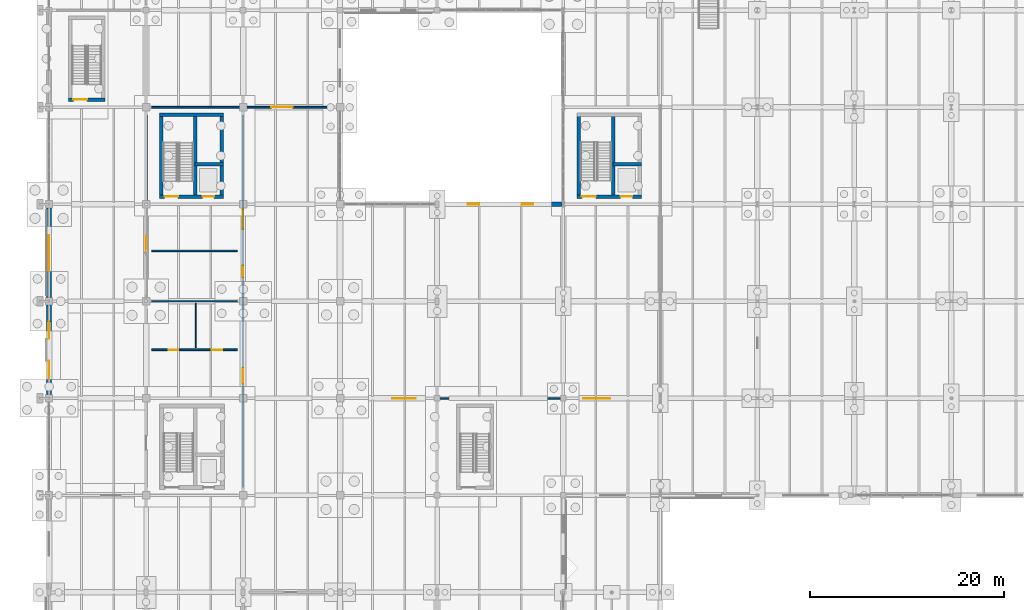
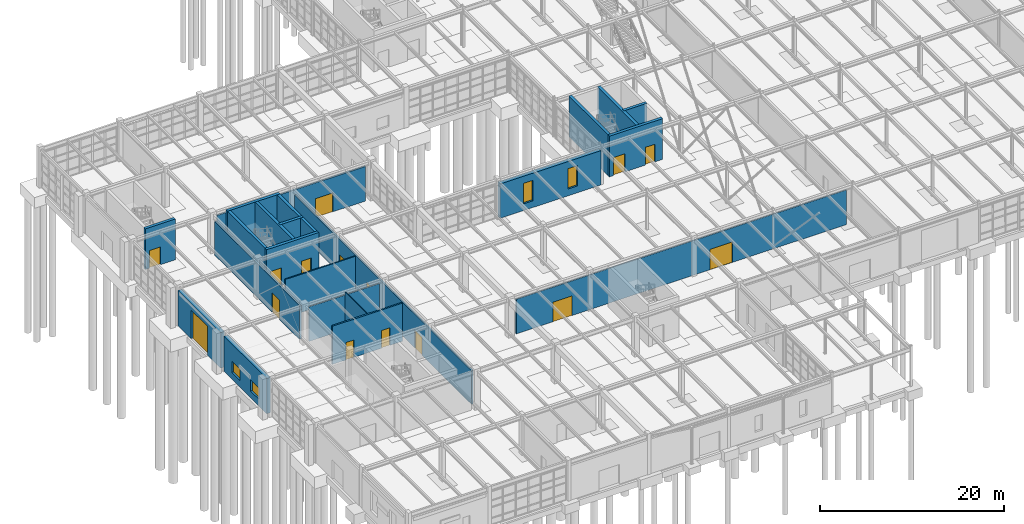
# One storey, part 121 of 145: 22 walls, 15 doors, 4 windows, 19 openings.
"""IFC4 building model written with IfcOpenShell, lengths in metres."""

from ifc_helpers import new_model, si_unit, direction, frame, frame_2d, origin, place, context, subcontext, project, spatial, rectangle, extrude, material, layer, layer_set, type_object, element, fill, save


model = new_model("IFC4")

# Units and contexts
model_context = context("Model", 3, precision=1e-05, world=origin(), true_north=direction((0.0, 1.0)))
body_context = subcontext(model_context, "Body", "Model", "MODEL_VIEW")
ifc_project = project(units=[si_unit("LENGTHUNIT", "METRE"), si_unit("AREAUNIT", "SQUARE_METRE"), si_unit("VOLUMEUNIT", "CUBIC_METRE"), si_unit("PLANEANGLEUNIT", "RADIAN"), si_unit("MASSUNIT", "GRAM", prefix="KILO"), si_unit("THERMODYNAMICTEMPERATUREUNIT", "KELVIN"), si_unit("POWERUNIT", "WATT")], contexts=[model_context])

# Site, building, storey
site_placement = place(None, origin())
site = spatial("IfcSite", under=ifc_project, at=site_placement, CompositionType="ELEMENT")
building_placement = place(site_placement, origin())
building = spatial("IfcBuilding", under=site, at=building_placement, Name="Korenveer Ferry Terminal", CompositionType="ELEMENT")
storey_placement = place(building_placement, origin())
storey = spatial("IfcBuildingStorey", under=building, at=storey_placement, Name="L00", CompositionType="ELEMENT", Elevation=0.0)

# Wall, openings, windows
ifc_material_1 = material(Name="Belgian bluestone plinth masonry", Category="masonry")
ifc_layer_1 = layer(ifc_material_1, 0.5)
ifc_layer_set_1 = layer_set([ifc_layer_1], Name="Belgian bluestone plinth masonry")
wall_type_1 = type_object("IfcWallType", Name="ENV-WL-STN500", PredefinedType="SOLIDWALL", material=ifc_layer_set_1)
wall_1_placement = place(storey_placement, frame((40.199951171875, 50.0, 0.0), z_axis=(0.0, 0.0, 1.0), x_axis=(1.0, 0.0, 0.0)))
wall_1 = element("IfcWall", 1, at=wall_1_placement, inside=storey, type_object=wall_type_1, Name="Exterior facade wall EWL-L00-015", PredefinedType="SOLIDWALL", context=body_context, shape_type="SweptSolid", body=[
    extrude(rectangle(XDim=12.650146484375, YDim=0.5, at=frame_2d((6.3251953125, 0.0))), origin(), (0.0, 0.0, 1.0), 4.550048828125),
])
opening_1_placement = place(wall_1_placement, frame((2.94189453125, 0.0, 0.89990234375)))
opening_1 = element("IfcOpeningElement", 2, at=opening_1_placement, cuts=wall_1, Name="Opening WN-09", PredefinedType="OPENING", context=body_context, shape_type="SweptSolid", body=[
    extrude(rectangle(XDim=1.199951171875, YDim=2.699951171875, at=frame_2d((0.60009765625, 1.35009765625))), frame((0.0, 0.260009765625, 0.0), z_axis=(0.0, -1.0, 0.0), x_axis=(1.0, 0.0, 0.0)), (0.0, 0.0, 1.0), 0.52001953125),
])
opening_2_placement = place(wall_1_placement, frame((8.508056640625, 0.0, 0.89990234375)))
opening_2 = element("IfcOpeningElement", 3, at=opening_2_placement, cuts=wall_1, Name="Opening WN-09", PredefinedType="OPENING", context=body_context, shape_type="SweptSolid", body=[
    extrude(rectangle(XDim=1.199951171875, YDim=2.699951171875, at=frame_2d((0.60009765625, 1.35009765625))), frame((0.0, 0.260009765625, 0.0), z_axis=(0.0, -1.0, 0.0), x_axis=(1.0, 0.0, 0.0)), (0.0, 0.0, 1.0), 0.52001953125),
])
ifc_material_2 = material(Name="Low-iron triple glazing in bronze frame", Category="glass")
window_type_1 = type_object("IfcWindowType", Name="ENV-WN-09", PartitioningType="SINGLE_PANEL", PredefinedType="WINDOW", material=ifc_material_2)
window_1_placement = place(opening_1_placement, origin())
window_1 = element("IfcWindow", 4, at=window_1_placement, inside=storey, type_object=window_type_1, Name="Lancet facade window 9", OverallHeight=2.699951171875, OverallWidth=1.199951171875, PartitioningType="SINGLE_PANEL", PredefinedType="WINDOW", context=body_context, shape_type="SweptSolid", body=[
    extrude(rectangle(XDim=1.199951171875, YDim=2.699951171875, at=frame_2d((0.60009765625, 1.35009765625))), frame((0.0, 0.030029296875, 0.0), z_axis=(0.0, -1.0, 0.0), x_axis=(1.0, 0.0, 0.0)), (0.0, 0.0, 1.0), 0.06005859375),
])
fill(opening_1, window_1)
window_2_placement = place(opening_2_placement, origin())
window_2 = element("IfcWindow", 5, at=window_2_placement, inside=storey, type_object=window_type_1, Name="Lancet facade window 10", OverallHeight=2.699951171875, OverallWidth=1.199951171875, PartitioningType="SINGLE_PANEL", PredefinedType="WINDOW", context=body_context, shape_type="SweptSolid", body=[
    extrude(rectangle(XDim=1.199951171875, YDim=2.699951171875, at=frame_2d((0.60009765625, 1.35009765625))), frame((0.0, 0.030029296875, 0.0), z_axis=(0.0, -1.0, 0.0), x_axis=(1.0, 0.0, 0.0)), (0.0, 0.0, 1.0), 0.06005859375),
])
fill(opening_2, window_2)

wall_2_placement = place(storey_placement, frame((0.0, 30.375, 0.0), z_axis=(0.0, 0.0, 1.0), x_axis=(0.0, 1.0, 0.0)))
wall_2 = element("IfcWall", 6, at=wall_2_placement, inside=storey, type_object=wall_type_1, Name="Exterior facade wall EWL-L00-024", PredefinedType="SOLIDWALL", context=body_context, shape_type="SweptSolid", body=[
    extrude(rectangle(XDim=9.25, YDim=0.5, at=frame_2d((4.625, 0.0))), origin(), (0.0, 0.0, 1.0), 4.68994140625),
])
opening_3_placement = place(wall_2_placement, frame((1.68994140625, 0.0, 0.89990234375)))
opening_3 = element("IfcOpeningElement", 7, at=opening_3_placement, cuts=wall_2, Name="Opening WN-17", PredefinedType="OPENING", context=body_context, shape_type="SweptSolid", body=[
    extrude(rectangle(XDim=1.800048828125, YDim=1.5, at=frame_2d((0.89990234375, 0.75))), frame((0.0, 0.260009765625, 0.0), z_axis=(0.0, -1.0, 0.0), x_axis=(1.0, 0.0, 0.0)), (0.0, 0.0, 1.0), 0.52001953125),
])
opening_4_placement = place(wall_2_placement, frame((5.760009765625, 0.0, 0.89990234375)))
opening_4 = element("IfcOpeningElement", 8, at=opening_4_placement, cuts=wall_2, Name="Opening WN-17", PredefinedType="OPENING", context=body_context, shape_type="SweptSolid", body=[
    extrude(rectangle(XDim=1.800048828125, YDim=1.5, at=frame_2d((0.89990234375, 0.75))), frame((0.0, 0.260009765625, 0.0), z_axis=(0.0, -1.0, 0.0), x_axis=(1.0, 0.0, 0.0)), (0.0, 0.0, 1.0), 0.52001953125),
])
window_type_2 = type_object("IfcWindowType", Name="ENV-WN-17", PartitioningType="SINGLE_PANEL", PredefinedType="WINDOW", material=ifc_material_2)
window_3_placement = place(opening_3_placement, origin())
window_3 = element("IfcWindow", 9, at=window_3_placement, inside=storey, type_object=window_type_2, Name="Lancet facade window 17", OverallHeight=1.5, OverallWidth=1.800048828125, PartitioningType="SINGLE_PANEL", PredefinedType="WINDOW", context=body_context, shape_type="SweptSolid", body=[
    extrude(rectangle(XDim=1.800048828125, YDim=1.5, at=frame_2d((0.89990234375, 0.75))), frame((0.0, 0.030029296875, 0.0), z_axis=(0.0, -1.0, 0.0), x_axis=(1.0, 0.0, 0.0)), (0.0, 0.0, 1.0), 0.06005859375),
])
fill(opening_3, window_3)
window_4_placement = place(opening_4_placement, origin())
window_4 = element("IfcWindow", 10, at=window_4_placement, inside=storey, type_object=window_type_2, Name="Lancet facade window 18", OverallHeight=1.5, OverallWidth=1.800048828125, PartitioningType="SINGLE_PANEL", PredefinedType="WINDOW", context=body_context, shape_type="SweptSolid", body=[
    extrude(rectangle(XDim=1.800048828125, YDim=1.5, at=frame_2d((0.89990234375, 0.75))), frame((0.0, 0.030029296875, 0.0), z_axis=(0.0, -1.0, 0.0), x_axis=(1.0, 0.0, 0.0)), (0.0, 0.0, 1.0), 0.06005859375),
])
fill(opening_4, window_4)

# Wall, opening, door
wall_3_placement = place(storey_placement, frame((0.0, 40.375, 0.0), z_axis=(0.0, 0.0, 1.0), x_axis=(0.0, 1.0, 0.0)))
wall_3 = element("IfcWall", 11, at=wall_3_placement, inside=storey, type_object=wall_type_1, Name="Exterior facade wall EWL-L00-025", PredefinedType="SOLIDWALL", context=body_context, shape_type="SweptSolid", body=[
    extrude(rectangle(XDim=9.25, YDim=0.5, at=frame_2d((4.625, 0.0))), origin(), (0.0, 0.0, 1.0), 4.68994140625),
])
opening_5_placement = place(wall_3_placement, frame((2.824951171875, 0.0, 0.0)))
opening_5 = element("IfcOpeningElement", 12, at=opening_5_placement, cuts=wall_3, Name="Opening VG5", PredefinedType="OPENING", context=body_context, shape_type="SweptSolid", body=[
    extrude(rectangle(XDim=3.60009765625, YDim=3.800048828125, at=frame_2d((1.800048828125, 1.89990234375))), frame((0.0, 0.260009765625, 0.0), z_axis=(0.0, -1.0, 0.0), x_axis=(1.0, 0.0, 0.0)), (0.0, 0.0, 1.0), 0.52001953125),
])
ifc_material_3 = material(Name="Insulated marine steel shutter", Category="steel")
door_type_1 = type_object("IfcDoorType", Name="ENV-DR-SHT360", OperationType="ROLLINGUP", PredefinedType="USERDEFINED", material=ifc_material_3)
door_1_placement = place(opening_5_placement, origin())
door_1 = element("IfcDoor", 13, at=door_1_placement, inside=storey, type_object=door_type_1, Name="West Plant Service Shutter VG5", ObjectType="VEHICLE SHUTTER", OperationType="ROLLINGUP", OverallHeight=3.800048828125, OverallWidth=3.60009765625, PredefinedType="USERDEFINED", context=body_context, shape_type="SweptSolid", body=[
    extrude(rectangle(XDim=3.60009765625, YDim=3.800048828125, at=frame_2d((1.800048828125, 1.89990234375))), frame((0.0, 0.02490234375, 0.0), z_axis=(0.0, -1.0, 0.0), x_axis=(1.0, 0.0, 0.0)), (0.0, 0.0, 1.0), 0.050048828125),
])
fill(opening_5, door_1)

# Wall, openings, doors
ifc_material_4 = material(Name="Acoustic fire-rated twin-stud partition", Category="other")
ifc_layer_2 = layer(ifc_material_4, 0.199951171875)
ifc_layer_set_2 = layer_set([ifc_layer_2], Name="Acoustic fire-rated twin-stud partition")
wall_type_2 = type_object("IfcWallType", Name="INT-WL-COMP200", PredefinedType="PARTITIONING", material=ifc_layer_set_2)
wall_4_placement = place(storey_placement, frame((20.0, 20.800048828125, 0.0), z_axis=(0.0, 0.0, 1.0), x_axis=(0.0, 1.0, 0.0)))
wall_4 = element("IfcWall", 14, at=wall_4_placement, inside=storey, type_object=wall_type_2, Name="Interior partition PWL-L00-006", PredefinedType="PARTITIONING", context=body_context, shape_type="SweptSolid", body=[
    extrude(rectangle(XDim=38.39990234375, YDim=0.199951171875, at=frame_2d((19.199951171875, 0.0))), origin(), (0.0, 0.0, 1.0), 4.489990234375),
])
opening_6_placement = place(wall_4_placement, frame((10.719970703125, 0.0, 0.0)))
opening_6 = element("IfcOpeningElement", 15, at=opening_6_placement, cuts=wall_4, Name="Opening ID-006", PredefinedType="OPENING", context=body_context, shape_type="SweptSolid", body=[
    extrude(rectangle(XDim=1.60009765625, YDim=2.39990234375, at=frame_2d((0.800048828125, 1.199951171875))), frame((0.0, 0.10986328125, 0.0), z_axis=(0.0, -1.0, 0.0), x_axis=(1.0, 0.0, 0.0)), (0.0, 0.0, 1.0), 0.219970703125),
])
opening_7_placement = place(wall_4_placement, frame((21.697021484375, 0.0, 0.0)))
opening_7 = element("IfcOpeningElement", 16, at=opening_7_placement, cuts=wall_4, Name="Opening ID-007", PredefinedType="OPENING", context=body_context, shape_type="SweptSolid", body=[
    extrude(rectangle(XDim=1.14990234375, YDim=2.35009765625, at=frame_2d((0.574951171875, 1.175048828125))), frame((0.0, 0.10986328125, 0.0), z_axis=(0.0, -1.0, 0.0), x_axis=(1.0, 0.0, 0.0)), (0.0, 0.0, 1.0), 0.219970703125),
])
opening_8_placement = place(wall_4_placement, frame((26.64794921875, 0.0, 0.0)))
opening_8 = element("IfcOpeningElement", 17, at=opening_8_placement, cuts=wall_4, Name="Opening ID-008", PredefinedType="OPENING", context=body_context, shape_type="SweptSolid", body=[
    extrude(rectangle(XDim=2.0, YDim=2.449951171875, at=frame_2d((1.0, 1.22509765625))), frame((0.0, 0.10986328125, 0.0), z_axis=(0.0, -1.0, 0.0), x_axis=(1.0, 0.0, 0.0)), (0.0, 0.0, 1.0), 0.219970703125),
])
ifc_material_5 = material(Name="Solid hardwood and steel acoustic door", Category="steel")
door_type_2 = type_object("IfcDoorType", Name="INT-DR-CON200", OperationType="DOUBLE_DOOR_SINGLE_SWING", PredefinedType="DOOR", material=ifc_material_5)
door_2_placement = place(opening_8_placement, origin())
door_2 = element("IfcDoor", 18, at=door_2_placement, inside=storey, type_object=door_type_2, Name="L00 West Lift Lobby Door", OperationType="DOUBLE_DOOR_SINGLE_SWING", OverallHeight=2.449951171875, OverallWidth=2.0, PredefinedType="DOOR", context=body_context, shape_type="SweptSolid", body=[
    extrude(rectangle(XDim=2.0, YDim=2.449951171875, at=frame_2d((1.0, 1.22509765625))), frame((0.0, 0.02490234375, 0.0), z_axis=(0.0, -1.0, 0.0), x_axis=(1.0, 0.0, 0.0)), (0.0, 0.0, 1.0), 0.050048828125),
])
fill(opening_8, door_2)
door_type_3 = type_object("IfcDoorType", Name="INT-DR-FFL160", OperationType="DOUBLE_DOOR_SINGLE_SWING", PredefinedType="DOOR", material=ifc_material_5)
door_3_placement = place(opening_6_placement, origin())
door_3 = element("IfcDoor", 19, at=door_3_placement, inside=storey, type_object=door_type_3, Name="L00 West Firefighting Lobby Door", OperationType="DOUBLE_DOOR_SINGLE_SWING", OverallHeight=2.39990234375, OverallWidth=1.60009765625, PredefinedType="DOOR", context=body_context, shape_type="SweptSolid", body=[
    extrude(rectangle(XDim=1.60009765625, YDim=2.39990234375, at=frame_2d((0.800048828125, 1.199951171875))), frame((0.0, 0.02490234375, 0.0), z_axis=(0.0, -1.0, 0.0), x_axis=(1.0, 0.0, 0.0)), (0.0, 0.0, 1.0), 0.050048828125),
])
fill(opening_6, door_3)
door_type_4 = type_object("IfcDoorType", Name="INT-DR-RM115A", OperationType="NOTDEFINED", PredefinedType="DOOR", material=ifc_material_5)
door_4_placement = place(opening_7_placement, origin())
door_4 = element("IfcDoor", 20, at=door_4_placement, inside=storey, type_object=door_type_4, Name="L00 Maintenance Store Door", OperationType="SINGLE_SWING_RIGHT", OverallHeight=2.35009765625, OverallWidth=1.14990234375, PredefinedType="DOOR", context=body_context, shape_type="SweptSolid", body=[
    extrude(rectangle(XDim=1.14990234375, YDim=2.35009765625, at=frame_2d((0.574951171875, 1.175048828125))), frame((0.0, 0.02490234375, 0.0), z_axis=(0.0, -1.0, 0.0), x_axis=(1.0, 0.0, 0.0)), (0.0, 0.0, 1.0), 0.050048828125),
])
fill(opening_7, door_4)

wall_5_placement = place(storey_placement, frame((10.60009765625, 35.0, 0.0), z_axis=(0.0, 0.0, 1.0), x_axis=(1.0, 0.0, 0.0)))
wall_5 = element("IfcWall", 21, at=wall_5_placement, inside=storey, type_object=wall_type_2, Name="Interior partition PWL-L00-007", PredefinedType="PARTITIONING", context=body_context, shape_type="SweptSolid", body=[
    extrude(rectangle(XDim=8.7998046875, YDim=0.199951171875, at=frame_2d((4.39990234375, 0.0))), origin(), (0.0, 0.0, 1.0), 5.06005859375),
])
opening_9_placement = place(wall_5_placement, frame((1.7099609375, 0.0, 0.0)))
opening_9 = element("IfcOpeningElement", 22, at=opening_9_placement, cuts=wall_5, Name="Opening ID-009", PredefinedType="OPENING", context=body_context, shape_type="SweptSolid", body=[
    extrude(rectangle(XDim=0.97998046875, YDim=2.300048828125, at=frame_2d((0.489990234375, 1.14990234375))), frame((0.0, 0.10986328125, 0.0), z_axis=(0.0, -1.0, 0.0), x_axis=(1.0, 0.0, 0.0)), (0.0, 0.0, 1.0), 0.219970703125),
])
opening_10_placement = place(wall_5_placement, frame((6.14794921875, 0.0, 0.0)))
opening_10 = element("IfcOpeningElement", 23, at=opening_10_placement, cuts=wall_5, Name="Opening ID-010", PredefinedType="OPENING", context=body_context, shape_type="SweptSolid", body=[
    extrude(rectangle(XDim=1.080078125, YDim=2.35009765625, at=frame_2d((0.5400390625, 1.175048828125))), frame((0.0, 0.10986328125, 0.0), z_axis=(0.0, -1.0, 0.0), x_axis=(1.0, 0.0, 0.0)), (0.0, 0.0, 1.0), 0.219970703125),
])
door_type_5 = type_object("IfcDoorType", Name="INT-DR-AWC108", OperationType="NOTDEFINED", PredefinedType="DOOR", material=ifc_material_5)
door_5_placement = place(opening_10_placement, origin())
door_5 = element("IfcDoor", 24, at=door_5_placement, inside=storey, type_object=door_type_5, Name="L00 West Accessible WC Door", OperationType="SINGLE_SWING_RIGHT", OverallHeight=2.35009765625, OverallWidth=1.080078125, PredefinedType="DOOR", context=body_context, shape_type="SweptSolid", body=[
    extrude(rectangle(XDim=1.080078125, YDim=2.35009765625, at=frame_2d((0.5400390625, 1.175048828125))), frame((0.0, 0.02490234375, 0.0), z_axis=(0.0, -1.0, 0.0), x_axis=(1.0, 0.0, 0.0)), (0.0, 0.0, 1.0), 0.050048828125),
])
fill(opening_10, door_5)
door_type_6 = type_object("IfcDoorType", Name="INT-DR-WC098", OperationType="NOTDEFINED", PredefinedType="DOOR", material=ifc_material_5)
door_6_placement = place(opening_9_placement, origin())
door_6 = element("IfcDoor", 25, at=door_6_placement, inside=storey, type_object=door_type_6, Name="L00 West Public WC Door", OperationType="SINGLE_SWING_LEFT", OverallHeight=2.300048828125, OverallWidth=0.97998046875, PredefinedType="DOOR", context=body_context, shape_type="SweptSolid", body=[
    extrude(rectangle(XDim=0.97998046875, YDim=2.300048828125, at=frame_2d((0.489990234375, 1.14990234375))), frame((0.0, 0.02490234375, 0.0), z_axis=(0.0, -1.0, 0.0), x_axis=(1.0, 0.0, 0.0)), (0.0, 0.0, 1.0), 0.050048828125),
])
fill(opening_9, door_6)

# Wall, opening, door
wall_6_placement = place(storey_placement, frame((10.60009765625, 60.0, 0.0), z_axis=(0.0, 0.0, 1.0), x_axis=(1.0, 0.0, 0.0)))
wall_6 = element("IfcWall", 26, at=wall_6_placement, inside=storey, type_object=wall_type_2, Name="Interior partition PWL-L00-011", PredefinedType="PARTITIONING", context=body_context, shape_type="SweptSolid", body=[
    extrude(rectangle(XDim=18.599853515625, YDim=0.199951171875, at=frame_2d((9.2998046875, 0.0))), origin(), (0.0, 0.0, 1.0), 4.590087890625),
])
opening_11_placement = place(wall_6_placement, frame((12.2919921875, 0.0, 0.0)))
opening_11 = element("IfcOpeningElement", 27, at=opening_11_placement, cuts=wall_6, Name="Opening ID-011", PredefinedType="OPENING", context=body_context, shape_type="SweptSolid", body=[
    extrude(rectangle(XDim=2.199951171875, YDim=2.5, at=frame_2d((1.10009765625, 1.25))), frame((0.0, 0.10986328125, 0.0), z_axis=(0.0, -1.0, 0.0), x_axis=(1.0, 0.0, 0.0)), (0.0, 0.0, 1.0), 0.219970703125),
])
door_type_7 = type_object("IfcDoorType", Name="INT-DR-CON220", OperationType="DOUBLE_DOOR_SINGLE_SWING", PredefinedType="DOOR", material=ifc_material_5)
door_7_placement = place(opening_11_placement, origin())
door_7 = element("IfcDoor", 28, at=door_7_placement, inside=storey, type_object=door_type_7, Name="Baggage Screening Entry", OperationType="DOUBLE_DOOR_SINGLE_SWING", OverallHeight=2.5, OverallWidth=2.199951171875, PredefinedType="DOOR", context=body_context, shape_type="SweptSolid", body=[
    extrude(rectangle(XDim=2.199951171875, YDim=2.5, at=frame_2d((1.10009765625, 1.25))), frame((0.0, 0.02490234375, 0.0), z_axis=(0.0, -1.0, 0.0), x_axis=(1.0, 0.0, 0.0)), (0.0, 0.0, 1.0), 0.050048828125),
])
fill(opening_11, door_7)

ifc_material_6 = material(Name="Calcium silicate fire compartment masonry", Category="masonry")
ifc_layer_3 = layer(ifc_material_6, 0.239990234375)
ifc_layer_set_3 = layer_set([ifc_layer_3], Name="Calcium silicate fire compartment masonry")
wall_type_3 = type_object("IfcWallType", Name="INT-WL-COMP240", PredefinedType="PARTITIONING", material=ifc_layer_set_3)
wall_7_placement = place(storey_placement, frame((10.0, 40.800048828125, 0.0), z_axis=(0.0, 0.0, 1.0), x_axis=(0.0, 1.0, 0.0)))
wall_7 = element("IfcWall", 29, at=wall_7_placement, inside=storey, type_object=wall_type_3, Name="Interior partition PWL-L00-005", PredefinedType="PARTITIONING", context=body_context, shape_type="SweptSolid", body=[
    extrude(rectangle(XDim=18.39990234375, YDim=0.239990234375, at=frame_2d((9.199951171875, 0.0))), origin(), (0.0, 0.0, 1.0), 4.489990234375),
])
opening_12_placement = place(wall_7_placement, frame((4.326904296875, 0.0, 0.0)))
opening_12 = element("IfcOpeningElement", 30, at=opening_12_placement, cuts=wall_7, Name="Opening ID-005", PredefinedType="OPENING", context=body_context, shape_type="SweptSolid", body=[
    extrude(rectangle(XDim=1.64990234375, YDim=2.550048828125, at=frame_2d((0.824951171875, 1.27490234375))), frame((0.0, 0.1298828125, 0.0), z_axis=(0.0, -1.0, 0.0), x_axis=(1.0, 0.0, 0.0)), (0.0, 0.0, 1.0), 0.260009765625),
])
door_type_8 = type_object("IfcDoorType", Name="INT-DR-PLT165", OperationType="DOUBLE_DOOR_SINGLE_SWING", PredefinedType="DOOR", material=ifc_material_5)
door_8_placement = place(opening_12_placement, origin())
door_8 = element("IfcDoor", 31, at=door_8_placement, inside=storey, type_object=door_type_8, Name="Thermal Plant Room Door", OperationType="DOUBLE_DOOR_SINGLE_SWING", OverallHeight=2.550048828125, OverallWidth=1.64990234375, PredefinedType="DOOR", context=body_context, shape_type="SweptSolid", body=[
    extrude(rectangle(XDim=1.64990234375, YDim=2.550048828125, at=frame_2d((0.824951171875, 1.27490234375))), frame((0.0, 0.02490234375, 0.0), z_axis=(0.0, -1.0, 0.0), x_axis=(1.0, 0.0, 0.0)), (0.0, 0.0, 1.0), 0.050048828125),
])
fill(opening_12, door_8)

# Wall, openings, doors
ifc_material_7 = material(Name="Concrete C45/55", Category="concrete")
ifc_layer_4 = layer(ifc_material_7, 0.360107421875)
ifc_layer_set_4 = layer_set([ifc_layer_4], Name="Concrete C45/55")
wall_type_4 = type_object("IfcWallType", Name="INT-WL-CORE360", PredefinedType="SHEAR", material=ifc_layer_set_4)
wall_8_placement = place(storey_placement, frame((11.39990234375, 50.780029296875, 0.0), z_axis=(0.0, 0.0, 1.0), x_axis=(1.0, 0.0, 0.0)))
wall_8 = element("IfcWall", 32, at=wall_8_placement, inside=storey, type_object=wall_type_4, Name="West Operations Core K2 south shear wall L00", PredefinedType="SHEAR", context=body_context, shape_type="SweptSolid", body=[
    extrude(rectangle(XDim=6.580078125, YDim=0.360107421875, at=frame_2d((3.2900390625, 0.0))), origin(), (0.0, 0.0, 1.0), 5.39990234375),
])
opening_13_placement = place(wall_8_placement, frame((0.510009765625, 0.0, 0.0)))
opening_13 = element("IfcOpeningElement", 33, at=opening_13_placement, cuts=wall_8, Name="Opening SD-06", PredefinedType="OPENING", context=body_context, shape_type="SweptSolid", body=[
    extrude(rectangle(XDim=1.39990234375, YDim=2.35009765625, at=frame_2d((0.699951171875, 1.175048828125))), frame((0.0, 0.18994140625, 0.0), z_axis=(0.0, -1.0, 0.0), x_axis=(1.0, 0.0, 0.0)), (0.0, 0.0, 1.0), 0.380126953125),
])
opening_14_placement = place(wall_8_placement, frame((4.419921875, 0.0, 0.0)))
opening_14 = element("IfcOpeningElement", 34, at=opening_14_placement, cuts=wall_8, Name="Opening LD-06", PredefinedType="OPENING", context=body_context, shape_type="SweptSolid", body=[
    extrude(rectangle(XDim=1.199951171875, YDim=2.35009765625, at=frame_2d((0.60009765625, 1.175048828125))), frame((0.0, 0.18994140625, 0.0), z_axis=(0.0, -1.0, 0.0), x_axis=(1.0, 0.0, 0.0)), (0.0, 0.0, 1.0), 0.380126953125),
])
door_type_9 = type_object("IfcDoorType", Name="INT-DR-LD120", OperationType="SLIDING_TO_LEFT", PredefinedType="DOOR", material=ifc_material_5)
door_9_placement = place(opening_14_placement, origin())
door_9 = element("IfcDoor", 35, at=door_9_placement, inside=storey, type_object=door_type_9, Name="Lift LP1 Sliding Landing Door L00", OperationType="SLIDING_TO_LEFT", OverallHeight=2.35009765625, OverallWidth=1.199951171875, PredefinedType="DOOR", context=body_context, shape_type="SweptSolid", body=[
    extrude(rectangle(XDim=1.199951171875, YDim=2.35009765625, at=frame_2d((0.60009765625, 1.175048828125))), frame((0.0, 0.02490234375, 0.0), z_axis=(0.0, -1.0, 0.0), x_axis=(1.0, 0.0, 0.0)), (0.0, 0.0, 1.0), 0.050048828125),
])
fill(opening_14, door_9)
door_type_10 = type_object("IfcDoorType", Name="INT-DR-ST140", OperationType="NOTDEFINED", PredefinedType="DOOR", material=ifc_material_5)
door_10_placement = place(opening_13_placement, origin())
door_10 = element("IfcDoor", 36, at=door_10_placement, inside=storey, type_object=door_type_10, Name="ST02 Stair Door L00", OperationType="SINGLE_SWING_RIGHT", OverallHeight=2.35009765625, OverallWidth=1.39990234375, PredefinedType="DOOR", context=body_context, shape_type="SweptSolid", body=[
    extrude(rectangle(XDim=1.39990234375, YDim=2.35009765625, at=frame_2d((0.699951171875, 1.175048828125))), frame((0.0, 0.02490234375, 0.0), z_axis=(0.0, -1.0, 0.0), x_axis=(1.0, 0.0, 0.0)), (0.0, 0.0, 1.0), 0.050048828125),
])
fill(opening_13, door_10)

# Walls
wall_9_placement = place(storey_placement, frame((11.39990234375, 59.219970703125, 0.0), z_axis=(0.0, 0.0, 1.0), x_axis=(1.0, 0.0, 0.0)))
element("IfcWall", 37, at=wall_9_placement, inside=storey, type_object=wall_type_4, Name="West Operations Core K2 north shear wall L00", PredefinedType="SHEAR", context=body_context, shape_type="SweptSolid", body=[
    extrude(rectangle(XDim=6.580078125, YDim=0.360107421875, at=frame_2d((3.2900390625, 0.0))), origin(), (0.0, 0.0, 1.0), 5.39990234375),
])
for number, where, z_axis, x_axis, name in (
    (38, (11.580078125, 50.60009765625, 0.0), (0.0, 0.0, 1.0), (0.0, 1.0, 0.0), "West Operations Core K2 west shear wall L00"),
    (39, (17.800048828125, 50.60009765625, 0.0), (0.0, 0.0, 1.0), (0.0, 1.0, 0.0), "West Operations Core K2 east shear wall L00"),
    (40, (15.0400390625, 50.60009765625, 0.0), (0.0, 0.0, 1.0), (0.0, 1.0, 0.0), "West Operations Core K2 shaft divider wall L00"),
):
    element("IfcWall", number, at=place(storey_placement, frame(where, z_axis=z_axis, x_axis=x_axis)), inside=storey, type_object=wall_type_4, Name=name, PredefinedType="SHEAR", context=body_context, shape_type="SweptSolid", body=[
        extrude(rectangle(XDim=8.7998046875, YDim=0.360107421875, at=frame_2d((4.39990234375, 0.0))), origin(), (0.0, 0.0, 1.0), 5.39990234375),
    ])
wall_10_placement = place(storey_placement, frame((15.0400390625, 54.139892578125, 0.0), z_axis=(0.0, 0.0, 1.0), x_axis=(1.0, 0.0, 0.0)))
element("IfcWall", 41, at=wall_10_placement, inside=storey, type_object=wall_type_4, Name="West Operations Core K2 lift shaft wall L00", PredefinedType="SHEAR", context=body_context, shape_type="SweptSolid", body=[
    extrude(rectangle(XDim=2.93994140625, YDim=0.360107421875, at=frame_2d((1.469970703125, 0.0))), origin(), (0.0, 0.0, 1.0), 5.39990234375),
])

# Wall, openings, doors
wall_11_placement = place(storey_placement, frame((54.39990234375, 50.780029296875, 0.0), z_axis=(0.0, 0.0, 1.0), x_axis=(1.0, 0.0, 0.0)))
wall_11 = element("IfcWall", 42, at=wall_11_placement, inside=storey, type_object=wall_type_4, Name="Departure West Core K5 south shear wall L00", PredefinedType="SHEAR", context=body_context, shape_type="SweptSolid", body=[
    extrude(rectangle(XDim=6.68017578125, YDim=0.360107421875, at=frame_2d((3.340087890625, 0.0))), origin(), (0.0, 0.0, 1.0), 5.39990234375),
])
opening_15_placement = place(wall_11_placement, frame((0.510009765625, 0.0, 0.0)))
opening_15 = element("IfcOpeningElement", 43, at=opening_15_placement, cuts=wall_11, Name="Opening SD-17", PredefinedType="OPENING", context=body_context, shape_type="SweptSolid", body=[
    extrude(rectangle(XDim=1.449951171875, YDim=2.39990234375, at=frame_2d((0.72509765625, 1.199951171875))), frame((0.0, 0.18994140625, 0.0), z_axis=(0.0, -1.0, 0.0), x_axis=(1.0, 0.0, 0.0)), (0.0, 0.0, 1.0), 0.380126953125),
])
opening_16_placement = place(wall_11_placement, frame((4.52001953125, 0.0, 0.0)))
opening_16 = element("IfcOpeningElement", 44, at=opening_16_placement, cuts=wall_11, Name="Opening LD-17", PredefinedType="OPENING", context=body_context, shape_type="SweptSolid", body=[
    extrude(rectangle(XDim=1.199951171875, YDim=2.35009765625, at=frame_2d((0.60009765625, 1.175048828125))), frame((0.0, 0.18994140625, 0.0), z_axis=(0.0, -1.0, 0.0), x_axis=(1.0, 0.0, 0.0)), (0.0, 0.0, 1.0), 0.380126953125),
])
door_11_placement = place(opening_16_placement, origin())
door_11 = element("IfcDoor", 45, at=door_11_placement, inside=storey, type_object=door_type_9, Name="Lift LP3 Sliding Landing Door L00", OperationType="SLIDING_TO_LEFT", OverallHeight=2.35009765625, OverallWidth=1.199951171875, PredefinedType="DOOR", context=body_context, shape_type="SweptSolid", body=[
    extrude(rectangle(XDim=1.199951171875, YDim=2.35009765625, at=frame_2d((0.60009765625, 1.175048828125))), frame((0.0, 0.02490234375, 0.0), z_axis=(0.0, -1.0, 0.0), x_axis=(1.0, 0.0, 0.0)), (0.0, 0.0, 1.0), 0.050048828125),
])
fill(opening_16, door_11)
door_type_11 = type_object("IfcDoorType", Name="INT-DR-ST145", OperationType="NOTDEFINED", PredefinedType="DOOR", material=ifc_material_5)
door_12_placement = place(opening_15_placement, origin())
door_12 = element("IfcDoor", 46, at=door_12_placement, inside=storey, type_object=door_type_11, Name="ST05 Stair Door L00", OperationType="SINGLE_SWING_LEFT", OverallHeight=2.39990234375, OverallWidth=1.449951171875, PredefinedType="DOOR", context=body_context, shape_type="SweptSolid", body=[
    extrude(rectangle(XDim=1.449951171875, YDim=2.39990234375, at=frame_2d((0.72509765625, 1.199951171875))), frame((0.0, 0.02490234375, 0.0), z_axis=(0.0, -1.0, 0.0), x_axis=(1.0, 0.0, 0.0)), (0.0, 0.0, 1.0), 0.050048828125),
])
fill(opening_15, door_12)

# Walls
for number, where, z_axis, x_axis, name in (
    (47, (54.580078125, 50.60009765625, 0.0), (0.0, 0.0, 1.0), (0.0, 1.0, 0.0), "Departure West Core K5 west shear wall L00"),
    (48, (58.139892578125, 50.60009765625, 0.0), (0.0, 0.0, 1.0), (0.0, 1.0, 0.0), "Departure West Core K5 shaft divider wall L00"),
):
    element("IfcWall", number, at=place(storey_placement, frame(where, z_axis=z_axis, x_axis=x_axis)), inside=storey, type_object=wall_type_4, Name=name, PredefinedType="SHEAR", context=body_context, shape_type="SweptSolid", body=[
        extrude(rectangle(XDim=8.7998046875, YDim=0.360107421875, at=frame_2d((4.39990234375, 0.0))), origin(), (0.0, 0.0, 1.0), 5.39990234375),
    ])
wall_12_placement = place(storey_placement, frame((58.139892578125, 54.139892578125, 0.0), z_axis=(0.0, 0.0, 1.0), x_axis=(1.0, 0.0, 0.0)))
element("IfcWall", 49, at=wall_12_placement, inside=storey, type_object=wall_type_4, Name="Departure West Core K5 lift shaft wall L00", PredefinedType="SHEAR", context=body_context, shape_type="SweptSolid", body=[
    extrude(rectangle(XDim=2.940185546875, YDim=0.360107421875, at=frame_2d((1.47021484375, 0.0))), origin(), (0.0, 0.0, 1.0), 5.39990234375),
])

# Wall, opening, door
wall_13_placement = place(storey_placement, frame((2.0, 60.780029296875, 0.0), z_axis=(0.0, 0.0, 1.0), x_axis=(1.0, 0.0, 0.0)))
wall_13 = element("IfcWall", 50, at=wall_13_placement, inside=storey, type_object=wall_type_4, Name="Harbourmaster North Stair Core K11 south shear wall L00", PredefinedType="SHEAR", context=body_context, shape_type="SweptSolid", body=[
    extrude(rectangle(XDim=3.760009765625, YDim=0.360107421875, at=frame_2d((1.8798828125, 0.0))), origin(), (0.0, 0.0, 1.0), 5.39990234375),
])
opening_17_placement = place(wall_13_placement, frame((0.510009765625, 0.0, 0.0)))
opening_17 = element("IfcOpeningElement", 51, at=opening_17_placement, cuts=wall_13, Name="Opening SD-35", PredefinedType="OPENING", context=body_context, shape_type="SweptSolid", body=[
    extrude(rectangle(XDim=1.39990234375, YDim=2.35009765625, at=frame_2d((0.699951171875, 1.175048828125))), frame((0.0, 0.18994140625, 0.0), z_axis=(0.0, -1.0, 0.0), x_axis=(1.0, 0.0, 0.0)), (0.0, 0.0, 1.0), 0.380126953125),
])
door_13_placement = place(opening_17_placement, origin())
door_13 = element("IfcDoor", 52, at=door_13_placement, inside=storey, type_object=door_type_10, Name="ST11 Stair Door L00", OperationType="SINGLE_SWING_LEFT", OverallHeight=2.35009765625, OverallWidth=1.39990234375, PredefinedType="DOOR", context=body_context, shape_type="SweptSolid", body=[
    extrude(rectangle(XDim=1.39990234375, YDim=2.35009765625, at=frame_2d((0.699951171875, 1.175048828125))), frame((0.0, 0.02490234375, 0.0), z_axis=(0.0, -1.0, 0.0), x_axis=(1.0, 0.0, 0.0)), (0.0, 0.0, 1.0), 0.050048828125),
])
fill(opening_17, door_13)

# Walls
ifc_material_8 = material(Name="Lightweight wet-room stud partition", Category="other")
ifc_layer_5 = layer(ifc_material_8, 0.1201171875)
ifc_layer_set_5 = layer_set([ifc_layer_5], Name="Lightweight wet-room stud partition")
wall_type_5 = type_object("IfcWallType", Name="INT-WL-PART120", PredefinedType="PARTITIONING", material=ifc_layer_set_5)
wall_14_placement = place(storey_placement, frame((15.10009765625, 35.199951171875, 0.0), z_axis=(0.0, 0.0, 1.0), x_axis=(0.0, 1.0, 0.0)))
element("IfcWall", 53, at=wall_14_placement, inside=storey, type_object=wall_type_5, Name="Interior partition PWL-L00-008", PredefinedType="PARTITIONING", context=body_context, shape_type="SweptSolid", body=[
    extrude(rectangle(XDim=4.60009765625, YDim=0.1201171875, at=frame_2d((2.300048828125, 0.0))), origin(), (0.0, 0.0, 1.0), 5.06005859375),
])
ifc_material_9 = material(Name="Acoustic gypsum board stud partition", Category="other")
ifc_layer_6 = layer(ifc_material_9, 0.14990234375)
ifc_layer_set_6 = layer_set([ifc_layer_6], Name="Acoustic gypsum board stud partition")
wall_type_6 = type_object("IfcWallType", Name="INT-WL-PART150", PredefinedType="PARTITIONING", material=ifc_layer_set_6)
wall_15_placement = place(storey_placement, frame((10.60009765625, 40.0, 0.0), z_axis=(0.0, 0.0, 1.0), x_axis=(1.0, 0.0, 0.0)))
element("IfcWall", 54, at=wall_15_placement, inside=storey, type_object=wall_type_6, Name="Interior partition PWL-L00-009", PredefinedType="PARTITIONING", context=body_context, shape_type="SweptSolid", body=[
    extrude(rectangle(XDim=8.7998046875, YDim=0.14990234375, at=frame_2d((4.39990234375, 0.0))), origin(), (0.0, 0.0, 1.0), 4.590087890625),
])
wall_16_placement = place(storey_placement, frame((10.60009765625, 45.199951171875, 0.0), z_axis=(0.0, 0.0, 1.0), x_axis=(1.0, 0.0, 0.0)))
element("IfcWall", 55, at=wall_16_placement, inside=storey, type_object=wall_type_6, Name="Interior partition PWL-L00-010", PredefinedType="PARTITIONING", context=body_context, shape_type="SweptSolid", body=[
    extrude(rectangle(XDim=8.7998046875, YDim=0.14990234375, at=frame_2d((4.39990234375, 0.0))), origin(), (0.0, 0.0, 1.0), 5.06005859375),
])

# Wall, openings, doors
wall_17_placement = place(storey_placement, frame((30.800048828125, 30.0, 0.0), z_axis=(0.0, 0.0, 1.0), x_axis=(1.0, 0.0, 0.0)))
wall_17 = element("IfcWall", 56, at=wall_17_placement, inside=storey, type_object=wall_type_6, Name="Interior partition PWL-L00-016", PredefinedType="PARTITIONING", context=body_context, shape_type="SweptSolid", body=[
    extrude(rectangle(XDim=41.39990234375, YDim=0.14990234375, at=frame_2d((20.699951171875, 0.0))), origin(), (0.0, 0.0, 1.0), 4.590087890625),
])
opening_18_placement = place(wall_17_placement, frame((4.595947265625, 0.0, 0.0)))
opening_18 = element("IfcOpeningElement", 57, at=opening_18_placement, cuts=wall_17, Name="Opening ID-017", PredefinedType="OPENING", context=body_context, shape_type="SweptSolid", body=[
    extrude(rectangle(XDim=2.39990234375, YDim=2.60009765625, at=frame_2d((1.199951171875, 1.300048828125))), frame((0.0, 0.0849609375, 0.0), z_axis=(0.0, -1.0, 0.0), x_axis=(1.0, 0.0, 0.0)), (0.0, 0.0, 1.0), 0.169921875),
])
opening_19_placement = place(wall_17_placement, frame((24.26806640625, 0.0, 0.0)))
opening_19 = element("IfcOpeningElement", 58, at=opening_19_placement, cuts=wall_17, Name="Opening ID-018", PredefinedType="OPENING", context=body_context, shape_type="SweptSolid", body=[
    extrude(rectangle(XDim=2.800048828125, YDim=2.699951171875, at=frame_2d((1.39990234375, 1.35009765625))), frame((0.0, 0.0849609375, 0.0), z_axis=(0.0, -1.0, 0.0), x_axis=(1.0, 0.0, 0.0)), (0.0, 0.0, 1.0), 0.169921875),
])
door_type_12 = type_object("IfcDoorType", Name="INT-DR-CON240U", OperationType="DOUBLE_DOOR_SINGLE_SWING", PredefinedType="DOOR", material=ifc_material_5)
door_14_placement = place(opening_18_placement, origin())
door_14 = element("IfcDoor", 59, at=door_14_placement, inside=storey, type_object=door_type_12, Name="Arrivals West Corridor Portal", OperationType="DOUBLE_DOOR_SINGLE_SWING", OverallHeight=2.60009765625, OverallWidth=2.39990234375, PredefinedType="DOOR", context=body_context, shape_type="SweptSolid", body=[
    extrude(rectangle(XDim=2.39990234375, YDim=2.60009765625, at=frame_2d((1.199951171875, 1.300048828125))), frame((0.0, 0.02490234375, 0.0), z_axis=(0.0, -1.0, 0.0), x_axis=(1.0, 0.0, 0.0)), (0.0, 0.0, 1.0), 0.050048828125),
])
fill(opening_18, door_14)
door_type_13 = type_object("IfcDoorType", Name="INT-DR-CON280U", OperationType="DOUBLE_DOOR_SINGLE_SWING", PredefinedType="DOOR", material=ifc_material_5)
door_15_placement = place(opening_19_placement, origin())
door_15 = element("IfcDoor", 60, at=door_15_placement, inside=storey, type_object=door_type_13, Name="Arrivals Meet-and-Greet Portal", OperationType="DOUBLE_DOOR_SINGLE_SWING", OverallHeight=2.699951171875, OverallWidth=2.800048828125, PredefinedType="DOOR", context=body_context, shape_type="SweptSolid", body=[
    extrude(rectangle(XDim=2.800048828125, YDim=2.699951171875, at=frame_2d((1.39990234375, 1.35009765625))), frame((0.0, 0.02490234375, 0.0), z_axis=(0.0, -1.0, 0.0), x_axis=(1.0, 0.0, 0.0)), (0.0, 0.0, 1.0), 0.050048828125),
])
fill(opening_19, door_15)

save(model, "model.ifc")
